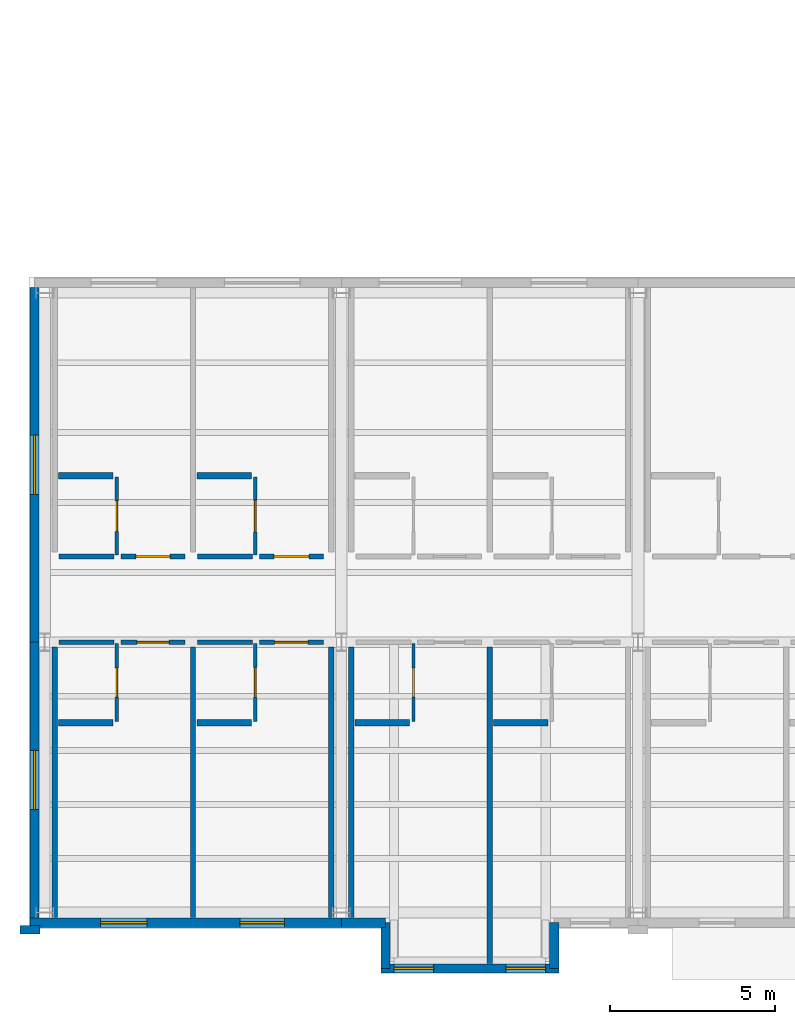
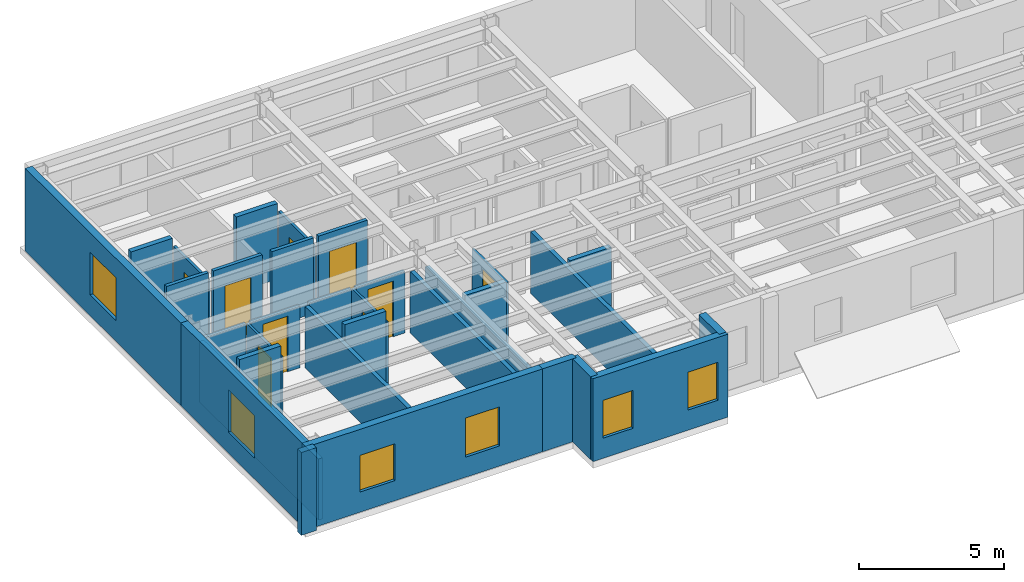
# One storey, part 7 of 19: 32 walls, 9 doors, 6 windows, 15 openings.
"""IFC4 building model written with IfcOpenShell, lengths in metres."""

from ifc_helpers import new_model, si_unit, direction, frame, frame_2d, origin, place, context, subcontext, project, spatial, rectangle, extrude, material, layer, layer_set, type_object, element, fill, save


model = new_model("IFC4")

# Units and contexts
model_context = context("Model", 3, precision=1e-05, world=origin(), true_north=direction((0.0, 1.0)))
body_context = subcontext(model_context, "Body", "Model", "MODEL_VIEW")
ifc_project = project(units=[si_unit("LENGTHUNIT", "METRE"), si_unit("AREAUNIT", "SQUARE_METRE"), si_unit("VOLUMEUNIT", "CUBIC_METRE"), si_unit("PLANEANGLEUNIT", "RADIAN"), si_unit("MASSUNIT", "GRAM", prefix="KILO")], contexts=[model_context])

# Site, building, storey
site_placement = place(None, origin())
site = spatial("IfcSite", under=ifc_project, at=site_placement, CompositionType="ELEMENT")
building_placement = place(site_placement, origin())
building = spatial("IfcBuilding", under=site, at=building_placement, Name="Sollismere Congress Hotel", CompositionType="ELEMENT")
storey_placement = place(building_placement, frame((0.0, 0.0, 34.10009765625)))
storey = spatial("IfcBuildingStorey", under=building, at=storey_placement, Name="L08", CompositionType="ELEMENT", Elevation=34.10009765625)

# Wall, openings, windows
ifc_material_1 = material(Name="Colorado Buff Sandstone Rainscreen on Insulated Backup", Category="masonry")
ifc_layer_1 = layer(ifc_material_1, 0.284912109375, Name="Colorado Buff Sandstone Rainscreen on Insulated Backup")
ifc_layer_set_1 = layer_set([ifc_layer_1], Name="Colorado Buff Sandstone Rainscreen on Insulated Backup")
wall_type_1 = type_object("IfcWallType", Name="WL-EXT285", PredefinedType="STANDARD", material=ifc_layer_set_1)
wall_1_placement = place(storey_placement, frame((66.550048828125, -0.31005859375, 0.0), z_axis=(0.0, 0.0, 1.0), x_axis=(1.0, 0.0, 0.0)))
wall_1 = element("IfcWall", 1, at=wall_1_placement, inside=storey, type_object=wall_type_1, Name="Exterior wall EW-L08-811", PredefinedType="STANDARD", context=body_context, shape_type="SweptSolid", body=[
    extrude(rectangle(XDim=9.449951171875, YDim=0.284912109375, at=frame_2d((4.72509765625, 0.0))), origin(), (0.0, 0.0, 1.0), 3.5),
])
opening_1_placement = place(wall_1_placement, frame((2.14990234375, 0.0, 0.85009765625)))
opening_1 = element("IfcOpeningElement", 2, at=opening_1_placement, cuts=wall_1, Name="Opening W-L08-589", PredefinedType="OPENING", context=body_context, shape_type="SweptSolid", body=[
    extrude(rectangle(XDim=1.39990234375, YDim=1.550048828125, at=frame_2d((0.699951171875, 0.77490234375))), frame((0.0, 0.15234375, 0.0), z_axis=(0.0, -1.0, 0.0), x_axis=(1.0, 0.0, 0.0)), (0.0, 0.0, 1.0), 0.304931640625),
])
opening_2_placement = place(wall_1_placement, frame((6.375, 0.0, 0.85009765625)))
opening_2 = element("IfcOpeningElement", 3, at=opening_2_placement, cuts=wall_1, Name="Opening W-L08-590", PredefinedType="OPENING", context=body_context, shape_type="SweptSolid", body=[
    extrude(rectangle(XDim=1.35009765625, YDim=1.64990234375, at=frame_2d((0.675048828125, 0.824951171875))), frame((0.0, 0.15234375, 0.0), z_axis=(0.0, -1.0, 0.0), x_axis=(1.0, 0.0, 0.0)), (0.0, 0.0, 1.0), 0.304931640625),
])
ifc_material_2 = material(Name="Thermally Broken Bronze Aluminum & Low-E Glass", Category="aluminium")
window_type_1 = type_object("IfcWindowType", Name="WN-P135x165", PartitioningType="SINGLE_PANEL", PredefinedType="WINDOW", material=ifc_material_2)
window_1_placement = place(opening_2_placement, origin())
window_1 = element("IfcWindow", 4, at=window_1_placement, inside=storey, type_object=window_type_1, Name="WIN-W-L08-590", OverallHeight=1.64990234375, OverallWidth=1.35009765625, PartitioningType="SINGLE_PANEL", PredefinedType="WINDOW", context=body_context, shape_type="SweptSolid", body=[
    extrude(rectangle(XDim=1.35009765625, YDim=1.64990234375, at=frame_2d((0.675048828125, 0.824951171875))), frame((0.0, 0.030029296875, 0.0), z_axis=(0.0, -1.0, 0.0), x_axis=(1.0, 0.0, 0.0)), (0.0, 0.0, 1.0), 0.06005859375),
])
fill(opening_2, window_1)
window_type_2 = type_object("IfcWindowType", Name="WN-P140x155", PartitioningType="SINGLE_PANEL", PredefinedType="WINDOW", material=ifc_material_2)
window_2_placement = place(opening_1_placement, origin())
window_2 = element("IfcWindow", 5, at=window_2_placement, inside=storey, type_object=window_type_2, Name="WIN-W-L08-589", OverallHeight=1.550048828125, OverallWidth=1.39990234375, PartitioningType="SINGLE_PANEL", PredefinedType="WINDOW", context=body_context, shape_type="SweptSolid", body=[
    extrude(rectangle(XDim=1.39990234375, YDim=1.550048828125, at=frame_2d((0.699951171875, 0.77490234375))), frame((0.0, 0.030029296875, 0.0), z_axis=(0.0, -1.0, 0.0), x_axis=(1.0, 0.0, 0.0)), (0.0, 0.0, 1.0), 0.06005859375),
])
fill(opening_1, window_2)

# Wall
wall_2_placement = place(storey_placement, frame((76.0, -0.31005859375, 0.0), z_axis=(0.0, 0.0, 1.0), x_axis=(1.0, 0.0, 0.0)))
element("IfcWall", 6, at=wall_2_placement, inside=storey, type_object=wall_type_1, Name="Exterior wall EW-L08-813", PredefinedType="STANDARD", context=body_context, shape_type="SweptSolid", body=[
    extrude(rectangle(XDim=1.340087890625, YDim=0.284912109375, at=frame_2d((0.669921875, 0.0))), origin(), (0.0, 0.0, 1.0), 3.5),
])

# Wall, openings, windows
wall_3_placement = place(storey_placement, frame((77.199951171875, -1.699951171875, 0.0), z_axis=(0.0, 0.0, 1.0), x_axis=(1.0, 0.0, 0.0)))
wall_3 = element("IfcWall", 7, at=wall_3_placement, inside=storey, type_object=wall_type_1, Name="Exterior wall EW-L08-815", PredefinedType="STANDARD", context=body_context, shape_type="SweptSolid", body=[
    extrude(rectangle(XDim=5.400146484375, YDim=0.284912109375, at=frame_2d((2.7001953125, 0.0))), origin(), (0.0, 0.0, 1.0), 3.5),
])
opening_3_placement = place(wall_3_placement, frame((0.39990234375, 0.0, 0.85009765625)))
opening_3 = element("IfcOpeningElement", 8, at=opening_3_placement, cuts=wall_3, Name="Opening W-L08-592", PredefinedType="OPENING", context=body_context, shape_type="SweptSolid", body=[
    extrude(rectangle(XDim=1.199951171875, YDim=1.60009765625, at=frame_2d((0.60009765625, 0.800048828125))), frame((0.0, 0.15234375, 0.0), z_axis=(0.0, -1.0, 0.0), x_axis=(1.0, 0.0, 0.0)), (0.0, 0.0, 1.0), 0.304931640625),
])
opening_4_placement = place(wall_3_placement, frame((3.800048828125, 0.0, 0.85009765625)))
opening_4 = element("IfcOpeningElement", 9, at=opening_4_placement, cuts=wall_3, Name="Opening W-L08-593", PredefinedType="OPENING", context=body_context, shape_type="SweptSolid", body=[
    extrude(rectangle(XDim=1.199951171875, YDim=1.60009765625, at=frame_2d((0.60009765625, 0.800048828125))), frame((0.0, 0.15234375, 0.0), z_axis=(0.0, -1.0, 0.0), x_axis=(1.0, 0.0, 0.0)), (0.0, 0.0, 1.0), 0.304931640625),
])
window_type_3 = type_object("IfcWindowType", Name="WN-P120x160", PartitioningType="SINGLE_PANEL", PredefinedType="WINDOW", material=ifc_material_2)
window_3_placement = place(opening_3_placement, origin())
window_3 = element("IfcWindow", 10, at=window_3_placement, inside=storey, type_object=window_type_3, Name="WIN-W-L08-592", OverallHeight=1.60009765625, OverallWidth=1.199951171875, PartitioningType="SINGLE_PANEL", PredefinedType="WINDOW", context=body_context, shape_type="SweptSolid", body=[
    extrude(rectangle(XDim=1.199951171875, YDim=1.60009765625, at=frame_2d((0.60009765625, 0.800048828125))), frame((0.0, 0.030029296875, 0.0), z_axis=(0.0, -1.0, 0.0), x_axis=(1.0, 0.0, 0.0)), (0.0, 0.0, 1.0), 0.06005859375),
])
fill(opening_3, window_3)
window_4_placement = place(opening_4_placement, origin())
window_4 = element("IfcWindow", 11, at=window_4_placement, inside=storey, type_object=window_type_3, Name="WIN-W-L08-593", OverallHeight=1.60009765625, OverallWidth=1.199951171875, PartitioningType="SINGLE_PANEL", PredefinedType="WINDOW", context=body_context, shape_type="SweptSolid", body=[
    extrude(rectangle(XDim=1.199951171875, YDim=1.60009765625, at=frame_2d((0.60009765625, 0.800048828125))), frame((0.0, 0.030029296875, 0.0), z_axis=(0.0, -1.0, 0.0), x_axis=(1.0, 0.0, 0.0)), (0.0, 0.0, 1.0), 0.06005859375),
])
fill(opening_4, window_4)

# Walls
for number, where, z_axis, x_axis, name in (
    (12, (77.340087890625, -0.31005859375, 0.0), (0.0, 0.0, 1.0), (0.0, -1.0, 0.0), "Exterior wall EW-L08-816"),
    (13, (82.4599609375, -1.699951171875, 0.0), (0.0, 0.0, 1.0), (0.0, 1.0, 0.0), "Exterior wall EW-L08-817"),
):
    element("IfcWall", number, at=place(storey_placement, frame(where, z_axis=z_axis, x_axis=x_axis)), inside=storey, type_object=wall_type_1, Name=name, PredefinedType="STANDARD", context=body_context, shape_type="SweptSolid", body=[
        extrude(rectangle(XDim=1.389892578125, YDim=0.284912109375, at=frame_2d((0.69482421875, 0.0))), origin(), (0.0, 0.0, 1.0), 3.5),
    ])

# Wall, opening, window
wall_4_placement = place(storey_placement, frame((66.68994140625, 8.199951171875, 0.0), z_axis=(0.0, 0.0, 1.0), x_axis=(0.0, -1.0, 0.0)))
wall_4 = element("IfcWall", 14, at=wall_4_placement, inside=storey, type_object=wall_type_1, Name="Exterior wall EW-L08-873", PredefinedType="STANDARD", context=body_context, shape_type="SweptSolid", body=[
    extrude(rectangle(XDim=8.365478515625, YDim=0.284912109375, at=frame_2d((4.1826171875, 0.0))), origin(), (0.0, 0.0, 1.0), 3.5),
])
opening_5_placement = place(wall_4_placement, frame((3.28271484375, 0.0, 0.8798828125)))
opening_5 = element("IfcOpeningElement", 15, at=opening_5_placement, cuts=wall_4, Name="Opening W-L08-628", PredefinedType="OPENING", context=body_context, shape_type="SweptSolid", body=[
    extrude(rectangle(XDim=1.800048828125, YDim=1.800048828125, at=frame_2d((0.89990234375, 0.89990234375))), frame((0.0, 0.15234375, 0.0), z_axis=(0.0, -1.0, 0.0), x_axis=(1.0, 0.0, 0.0)), (0.0, 0.0, 1.0), 0.304931640625),
])
window_type_4 = type_object("IfcWindowType", Name="WN-P180x180", PartitioningType="SINGLE_PANEL", PredefinedType="WINDOW", material=ifc_material_2)
window_5_placement = place(opening_5_placement, origin())
window_5 = element("IfcWindow", 16, at=window_5_placement, inside=storey, type_object=window_type_4, Name="WIN-W-L08-628", OverallHeight=1.800048828125, OverallWidth=1.800048828125, PartitioningType="SINGLE_PANEL", PredefinedType="WINDOW", context=body_context, shape_type="SweptSolid", body=[
    extrude(rectangle(XDim=1.800048828125, YDim=1.800048828125, at=frame_2d((0.89990234375, 0.89990234375))), frame((0.0, 0.030029296875, 0.0), z_axis=(0.0, -1.0, 0.0), x_axis=(1.0, 0.0, 0.0)), (0.0, 0.0, 1.0), 0.06005859375),
])
fill(opening_5, window_5)

wall_5_placement = place(storey_placement, frame((66.68994140625, 18.965576171875, 0.0), z_axis=(0.0, 0.0, 1.0), x_axis=(0.0, -1.0, 0.0)))
wall_5 = element("IfcWall", 17, at=wall_5_placement, inside=storey, type_object=wall_type_1, Name="Exterior wall EW-L08-874", PredefinedType="STANDARD", context=body_context, shape_type="SweptSolid", body=[
    extrude(rectangle(XDim=10.765625, YDim=0.284912109375, at=frame_2d((5.3828125, 0.0))), origin(), (0.0, 0.0, 1.0), 3.5),
])
opening_6_placement = place(wall_5_placement, frame((4.482666015625, 0.0, 0.8798828125)))
opening_6 = element("IfcOpeningElement", 18, at=opening_6_placement, cuts=wall_5, Name="Opening W-L08-629", PredefinedType="OPENING", context=body_context, shape_type="SweptSolid", body=[
    extrude(rectangle(XDim=1.800048828125, YDim=1.800048828125, at=frame_2d((0.89990234375, 0.89990234375))), frame((0.0, 0.15234375, 0.0), z_axis=(0.0, -1.0, 0.0), x_axis=(1.0, 0.0, 0.0)), (0.0, 0.0, 1.0), 0.304931640625),
])
window_6_placement = place(opening_6_placement, origin())
window_6 = element("IfcWindow", 19, at=window_6_placement, inside=storey, type_object=window_type_4, Name="WIN-W-L08-629", OverallHeight=1.800048828125, OverallWidth=1.800048828125, PartitioningType="SINGLE_PANEL", PredefinedType="WINDOW", context=body_context, shape_type="SweptSolid", body=[
    extrude(rectangle(XDim=1.800048828125, YDim=1.800048828125, at=frame_2d((0.89990234375, 0.89990234375))), frame((0.0, 0.030029296875, 0.0), z_axis=(0.0, -1.0, 0.0), x_axis=(1.0, 0.0, 0.0)), (0.0, 0.0, 1.0), 0.06005859375),
])
fill(opening_6, window_6)

# Walls
ifc_material_3 = material(Name="Carved Travertine Pilaster & Frieze Assembly", Category="masonry")
ifc_layer_2 = layer(ifc_material_3, 0.260009765625, Name="Carved Travertine Pilaster & Frieze Assembly")
ifc_layer_set_2 = layer_set([ifc_layer_2], Name="Carved Travertine Pilaster & Frieze Assembly")
wall_type_2 = type_object("IfcWallType", Name="WL-PIL280", PredefinedType="ELEMENTEDWALL", material=ifc_layer_set_2)
wall_6_placement = place(storey_placement, frame((66.25, -0.52001953125, 0.0), z_axis=(0.0, 0.0, 1.0), x_axis=(1.0, 0.0, 0.0)))
element("IfcWall", 20, at=wall_6_placement, inside=storey, type_object=wall_type_2, Name="Exterior wall EW-L08-812", PredefinedType="ELEMENTEDWALL", context=body_context, shape_type="SweptSolid", body=[
    extrude(rectangle(XDim=0.60009765625, YDim=0.260009765625, at=frame_2d((0.300048828125, 0.0))), origin(), (0.0, 0.0, 1.0), 3.5),
])
ifc_material_4 = material(Name="Moisture-Resistant Shaft Gypsum Assembly")
ifc_layer_3 = layer(ifc_material_4, 0.199951171875, Name="Moisture-Resistant Shaft Gypsum Assembly")
ifc_layer_set_3 = layer_set([ifc_layer_3], Name="Moisture-Resistant Shaft Gypsum Assembly")
wall_type_3 = type_object("IfcWallType", Name="WL-PLM200", PredefinedType="PLUMBINGWALL", material=ifc_layer_set_3)
wall_7_placement = place(storey_placement, frame((67.419921875, 5.75, 0.0), z_axis=(0.0, 0.0, 1.0), x_axis=(1.0, 0.0, 0.0)))
element("IfcWall", 21, at=wall_7_placement, inside=storey, type_object=wall_type_3, Name="Interior wall IW-L08-2396", PredefinedType="PLUMBINGWALL", context=body_context, shape_type="SweptSolid", body=[
    extrude(rectangle(XDim=1.650146484375, YDim=0.199951171875, at=frame_2d((0.8251953125, 0.0))), origin(), (0.0, 0.0, 1.0), 3.18994140625),
])
wall_8_placement = place(storey_placement, frame((71.6201171875, 5.75, 0.0), z_axis=(0.0, 0.0, 1.0), x_axis=(1.0, 0.0, 0.0)))
element("IfcWall", 22, at=wall_8_placement, inside=storey, type_object=wall_type_3, Name="Interior wall IW-L08-2401", PredefinedType="PLUMBINGWALL", context=body_context, shape_type="SweptSolid", body=[
    extrude(rectangle(XDim=1.64990234375, YDim=0.199951171875, at=frame_2d((0.824951171875, 0.0))), origin(), (0.0, 0.0, 1.0), 3.18994140625),
])
wall_9_placement = place(storey_placement, frame((67.419921875, 13.25, 0.0), z_axis=(0.0, 0.0, 1.0), x_axis=(1.0, 0.0, 0.0)))
element("IfcWall", 23, at=wall_9_placement, inside=storey, type_object=wall_type_3, Name="Interior wall IW-L08-2407", PredefinedType="PLUMBINGWALL", context=body_context, shape_type="SweptSolid", body=[
    extrude(rectangle(XDim=1.650146484375, YDim=0.199951171875, at=frame_2d((0.8251953125, 0.0))), origin(), (0.0, 0.0, 1.0), 3.18994140625),
])
wall_10_placement = place(storey_placement, frame((71.6201171875, 13.25, 0.0), z_axis=(0.0, 0.0, 1.0), x_axis=(1.0, 0.0, 0.0)))
element("IfcWall", 24, at=wall_10_placement, inside=storey, type_object=wall_type_3, Name="Interior wall IW-L08-2412", PredefinedType="PLUMBINGWALL", context=body_context, shape_type="SweptSolid", body=[
    extrude(rectangle(XDim=1.64990234375, YDim=0.199951171875, at=frame_2d((0.824951171875, 0.0))), origin(), (0.0, 0.0, 1.0), 3.18994140625),
])
wall_11_placement = place(storey_placement, frame((76.419921875, 5.75, 0.0), z_axis=(0.0, 0.0, 1.0), x_axis=(1.0, 0.0, 0.0)))
element("IfcWall", 25, at=wall_11_placement, inside=storey, type_object=wall_type_3, Name="Interior wall IW-L08-2418", PredefinedType="PLUMBINGWALL", context=body_context, shape_type="SweptSolid", body=[
    extrude(rectangle(XDim=1.650146484375, YDim=0.199951171875, at=frame_2d((0.8251953125, 0.0))), origin(), (0.0, 0.0, 1.0), 2.742919921875),
])
wall_12_placement = place(storey_placement, frame((80.6201171875, 5.75, 0.0), z_axis=(0.0, 0.0, 1.0), x_axis=(1.0, 0.0, 0.0)))
element("IfcWall", 26, at=wall_12_placement, inside=storey, type_object=wall_type_3, Name="Interior wall IW-L08-2423", PredefinedType="PLUMBINGWALL", context=body_context, shape_type="SweptSolid", body=[
    extrude(rectangle(XDim=1.64990234375, YDim=0.199951171875, at=frame_2d((0.824951171875, 0.0))), origin(), (0.0, 0.0, 1.0), 2.742919921875),
])

# Wall, opening, door
ifc_material_5 = material(Name="Moisture-Resistant Gypsum Partition")
ifc_layer_4 = layer(ifc_material_5, 0.10009765625, Name="Moisture-Resistant Gypsum Partition")
ifc_layer_set_4 = layer_set([ifc_layer_4], Name="Moisture-Resistant Gypsum Partition")
wall_type_4 = type_object("IfcWallType", Name="WL-PRT100", PredefinedType="PARTITIONING", material=ifc_layer_set_4)
wall_13_placement = place(storey_placement, frame((69.18994140625, 5.7900390625, 0.0), z_axis=(0.0, 0.0, 1.0), x_axis=(0.0, 1.0, 0.0)))
wall_13 = element("IfcWall", 27, at=wall_13_placement, inside=storey, type_object=wall_type_4, Name="Interior wall IW-L08-2395", PredefinedType="PARTITIONING", context=body_context, shape_type="SweptSolid", body=[
    extrude(rectangle(XDim=2.369873046875, YDim=0.10009765625, at=frame_2d((1.18505859375, 0.0))), origin(), (0.0, 0.0, 1.0), 2.602783203125),
])
opening_7_placement = place(wall_13_placement, frame((0.7451171875, 0.0, 0.0)))
opening_7 = element("IfcOpeningElement", 28, at=opening_7_placement, cuts=wall_13, Name="Opening D-L08-0845", PredefinedType="OPENING", context=body_context, shape_type="SweptSolid", body=[
    extrude(rectangle(XDim=0.8798828125, YDim=2.10009765625, at=frame_2d((0.43994140625, 1.050048828125))), frame((0.0, 0.06005859375, 0.0), z_axis=(0.0, -1.0, 0.0), x_axis=(1.0, 0.0, 0.0)), (0.0, 0.0, 1.0), 0.1201171875),
])
ifc_material_6 = material(Name="Moisture-Sealed Timber Bathroom Door", Category="wood")
door_type_1 = type_object("IfcDoorType", Name="DR-BT01", OperationType="NOTDEFINED", PredefinedType="DOOR", material=ifc_material_6)
door_1_placement = place(opening_7_placement, origin())
door_1 = element("IfcDoor", 29, at=door_1_placement, inside=storey, type_object=door_type_1, Name="En-suite bathroom door D-L08-0845", OperationType="SINGLE_SWING_RIGHT", OverallHeight=2.10009765625, OverallWidth=0.8798828125, PredefinedType="DOOR", context=body_context, shape_type="SweptSolid", body=[
    extrude(rectangle(XDim=0.8798828125, YDim=2.10009765625, at=frame_2d((0.43994140625, 1.050048828125))), frame((0.0, 0.02490234375, 0.0), z_axis=(0.0, -1.0, 0.0), x_axis=(1.0, 0.0, 0.0)), (0.0, 0.0, 1.0), 0.050048828125),
])
fill(opening_7, door_1)

wall_14_placement = place(storey_placement, frame((73.389892578125, 5.7900390625, 0.0), z_axis=(0.0, 0.0, 1.0), x_axis=(0.0, 1.0, 0.0)))
wall_14 = element("IfcWall", 30, at=wall_14_placement, inside=storey, type_object=wall_type_4, Name="Interior wall IW-L08-2400", PredefinedType="PARTITIONING", context=body_context, shape_type="SweptSolid", body=[
    extrude(rectangle(XDim=2.369873046875, YDim=0.10009765625, at=frame_2d((1.18505859375, 0.0))), origin(), (0.0, 0.0, 1.0), 2.602783203125),
])
opening_8_placement = place(wall_14_placement, frame((0.73291015625, 0.0, 0.0)))
opening_8 = element("IfcOpeningElement", 31, at=opening_8_placement, cuts=wall_14, Name="Opening D-L08-0847", PredefinedType="OPENING", context=body_context, shape_type="SweptSolid", body=[
    extrude(rectangle(XDim=0.905029296875, YDim=2.10009765625, at=frame_2d((0.45263671875, 1.050048828125))), frame((0.0, 0.06005859375, 0.0), z_axis=(0.0, -1.0, 0.0), x_axis=(1.0, 0.0, 0.0)), (0.0, 0.0, 1.0), 0.1201171875),
])
door_type_2 = type_object("IfcDoorType", Name="DR-BT02", OperationType="NOTDEFINED", PredefinedType="DOOR", material=ifc_material_6)
door_2_placement = place(opening_8_placement, origin())
door_2 = element("IfcDoor", 32, at=door_2_placement, inside=storey, type_object=door_type_2, Name="En-suite bathroom door D-L08-0847", OperationType="SINGLE_SWING_RIGHT", OverallHeight=2.10009765625, OverallWidth=0.905029296875, PredefinedType="DOOR", context=body_context, shape_type="SweptSolid", body=[
    extrude(rectangle(XDim=0.905029296875, YDim=2.10009765625, at=frame_2d((0.45263671875, 1.050048828125))), frame((0.0, 0.02490234375, 0.0), z_axis=(0.0, -1.0, 0.0), x_axis=(1.0, 0.0, 0.0)), (0.0, 0.0, 1.0), 0.050048828125),
])
fill(opening_8, door_2)

wall_15_placement = place(storey_placement, frame((69.18994140625, 10.840087890625, 0.0), z_axis=(0.0, 0.0, 1.0), x_axis=(0.0, 1.0, 0.0)))
wall_15 = element("IfcWall", 33, at=wall_15_placement, inside=storey, type_object=wall_type_4, Name="Interior wall IW-L08-2406", PredefinedType="PARTITIONING", context=body_context, shape_type="SweptSolid", body=[
    extrude(rectangle(XDim=2.369873046875, YDim=0.10009765625, at=frame_2d((1.18505859375, 0.0))), origin(), (0.0, 0.0, 1.0), 2.7978515625),
])
opening_9_placement = place(wall_15_placement, frame((0.719970703125, 0.0, 0.0)))
opening_9 = element("IfcOpeningElement", 34, at=opening_9_placement, cuts=wall_15, Name="Opening D-L08-0849", PredefinedType="OPENING", context=body_context, shape_type="SweptSolid", body=[
    extrude(rectangle(XDim=0.929931640625, YDim=2.139892578125, at=frame_2d((0.46484375, 1.06982421875))), frame((0.0, 0.06005859375, 0.0), z_axis=(0.0, -1.0, 0.0), x_axis=(1.0, 0.0, 0.0)), (0.0, 0.0, 1.0), 0.1201171875),
])
door_type_3 = type_object("IfcDoorType", Name="DR-BT03", OperationType="NOTDEFINED", PredefinedType="DOOR", material=ifc_material_6)
door_3_placement = place(opening_9_placement, origin())
door_3 = element("IfcDoor", 35, at=door_3_placement, inside=storey, type_object=door_type_3, Name="En-suite bathroom door D-L08-0849", OperationType="SINGLE_SWING_RIGHT", OverallHeight=2.139892578125, OverallWidth=0.929931640625, PredefinedType="DOOR", context=body_context, shape_type="SweptSolid", body=[
    extrude(rectangle(XDim=0.929931640625, YDim=2.139892578125, at=frame_2d((0.46484375, 1.06982421875))), frame((0.0, 0.02490234375, 0.0), z_axis=(0.0, -1.0, 0.0), x_axis=(1.0, 0.0, 0.0)), (0.0, 0.0, 1.0), 0.050048828125),
])
fill(opening_9, door_3)

wall_16_placement = place(storey_placement, frame((73.389892578125, 10.840087890625, 0.0), z_axis=(0.0, 0.0, 1.0), x_axis=(0.0, 1.0, 0.0)))
wall_16 = element("IfcWall", 36, at=wall_16_placement, inside=storey, type_object=wall_type_4, Name="Interior wall IW-L08-2411", PredefinedType="PARTITIONING", context=body_context, shape_type="SweptSolid", body=[
    extrude(rectangle(XDim=2.369873046875, YDim=0.10009765625, at=frame_2d((1.18505859375, 0.0))), origin(), (0.0, 0.0, 1.0), 2.7978515625),
])
opening_10_placement = place(wall_16_placement, frame((0.7080078125, 0.0, 0.0)))
opening_10 = element("IfcOpeningElement", 37, at=opening_10_placement, cuts=wall_16, Name="Opening D-L08-0851", PredefinedType="OPENING", context=body_context, shape_type="SweptSolid", body=[
    extrude(rectangle(XDim=0.955078125, YDim=2.139892578125, at=frame_2d((0.4775390625, 1.06982421875))), frame((0.0, 0.06005859375, 0.0), z_axis=(0.0, -1.0, 0.0), x_axis=(1.0, 0.0, 0.0)), (0.0, 0.0, 1.0), 0.1201171875),
])
door_type_4 = type_object("IfcDoorType", Name="DR-BT04", OperationType="NOTDEFINED", PredefinedType="DOOR", material=ifc_material_6)
door_4_placement = place(opening_10_placement, origin())
door_4 = element("IfcDoor", 38, at=door_4_placement, inside=storey, type_object=door_type_4, Name="En-suite bathroom door D-L08-0851", OperationType="SINGLE_SWING_RIGHT", OverallHeight=2.139892578125, OverallWidth=0.955078125, PredefinedType="DOOR", context=body_context, shape_type="SweptSolid", body=[
    extrude(rectangle(XDim=0.955078125, YDim=2.139892578125, at=frame_2d((0.4775390625, 1.06982421875))), frame((0.0, 0.02490234375, 0.0), z_axis=(0.0, -1.0, 0.0), x_axis=(1.0, 0.0, 0.0)), (0.0, 0.0, 1.0), 0.050048828125),
])
fill(opening_10, door_4)

wall_17_placement = place(storey_placement, frame((78.18994140625, 5.7900390625, 0.0), z_axis=(0.0, 0.0, 1.0), x_axis=(0.0, 1.0, 0.0)))
wall_17 = element("IfcWall", 39, at=wall_17_placement, inside=storey, type_object=wall_type_4, Name="Interior wall IW-L08-2417", PredefinedType="PARTITIONING", context=body_context, shape_type="SweptSolid", body=[
    extrude(rectangle(XDim=2.369873046875, YDim=0.10009765625, at=frame_2d((1.18505859375, 0.0))), origin(), (0.0, 0.0, 1.0), 2.602783203125),
])
opening_11_placement = place(wall_17_placement, frame((0.7451171875, 0.0, 0.0)))
opening_11 = element("IfcOpeningElement", 40, at=opening_11_placement, cuts=wall_17, Name="Opening D-L08-0853", PredefinedType="OPENING", context=body_context, shape_type="SweptSolid", body=[
    extrude(rectangle(XDim=0.8798828125, YDim=2.179931640625, at=frame_2d((0.43994140625, 1.08984375))), frame((0.0, 0.06005859375, 0.0), z_axis=(0.0, -1.0, 0.0), x_axis=(1.0, 0.0, 0.0)), (0.0, 0.0, 1.0), 0.1201171875),
])
door_type_5 = type_object("IfcDoorType", Name="DR-BT05", OperationType="NOTDEFINED", PredefinedType="DOOR", material=ifc_material_6)
door_5_placement = place(opening_11_placement, origin())
door_5 = element("IfcDoor", 41, at=door_5_placement, inside=storey, type_object=door_type_5, Name="En-suite bathroom door D-L08-0853", OperationType="SINGLE_SWING_RIGHT", OverallHeight=2.179931640625, OverallWidth=0.8798828125, PredefinedType="DOOR", context=body_context, shape_type="SweptSolid", body=[
    extrude(rectangle(XDim=0.8798828125, YDim=2.179931640625, at=frame_2d((0.43994140625, 1.08984375))), frame((0.0, 0.02490234375, 0.0), z_axis=(0.0, -1.0, 0.0), x_axis=(1.0, 0.0, 0.0)), (0.0, 0.0, 1.0), 0.050048828125),
])
fill(opening_11, door_5)

# Wall
ifc_material_7 = material(Name="Fire-Rated Gypsum Partition")
ifc_layer_5 = layer(ifc_material_7, 0.139892578125, Name="Fire-Rated Gypsum Partition")
ifc_layer_set_5 = layer_set([ifc_layer_5], Name="Fire-Rated Gypsum Partition")
wall_type_5 = type_object("IfcWallType", Name="WL-PRT140R", PredefinedType="PARTITIONING", material=ifc_layer_set_5)
wall_18_placement = place(storey_placement, frame((67.43994140625, 8.199951171875, 0.0), z_axis=(0.0, 0.0, 1.0), x_axis=(1.0, 0.0, 0.0)))
element("IfcWall", 42, at=wall_18_placement, inside=storey, type_object=wall_type_5, Name="Interior wall IW-L08-2391", PredefinedType="PARTITIONING", context=body_context, shape_type="SweptSolid", body=[
    extrude(rectangle(XDim=1.670166015625, YDim=0.139892578125, at=frame_2d((0.8349609375, 0.0))), origin(), (0.0, 0.0, 1.0), 2.602783203125),
])

# Wall, opening, door
wall_19_placement = place(storey_placement, frame((69.31005859375, 8.199951171875, 0.0), z_axis=(0.0, 0.0, 1.0), x_axis=(1.0, 0.0, 0.0)))
wall_19 = element("IfcWall", 43, at=wall_19_placement, inside=storey, type_object=wall_type_5, Name="Interior wall IW-L08-2392", PredefinedType="PARTITIONING", context=body_context, shape_type="SweptSolid", body=[
    extrude(rectangle(XDim=1.949951171875, YDim=0.139892578125, at=frame_2d((0.97509765625, 0.0))), origin(), (0.0, 0.0, 1.0), 2.602783203125),
])
opening_12_placement = place(wall_19_placement, frame((0.485107421875, 0.0, 0.0)))
opening_12 = element("IfcOpeningElement", 44, at=opening_12_placement, cuts=wall_19, Name="Opening D-L08-0844", PredefinedType="OPENING", context=body_context, shape_type="SweptSolid", body=[
    extrude(rectangle(XDim=0.97998046875, YDim=2.35009765625, at=frame_2d((0.489990234375, 1.175048828125))), frame((0.0, 0.079833984375, 0.0), z_axis=(0.0, -1.0, 0.0), x_axis=(1.0, 0.0, 0.0)), (0.0, 0.0, 1.0), 0.159912109375),
])
ifc_material_8 = material(Name="Solid-Core Acoustic Walnut Guestroom Entry Door")
door_type_6 = type_object("IfcDoorType", Name="DR-KY09", OperationType="NOTDEFINED", PredefinedType="DOOR", material=ifc_material_8)
door_6_placement = place(opening_12_placement, origin())
door_6 = element("IfcDoor", 45, at=door_6_placement, inside=storey, type_object=door_type_6, Name="Hotel room entry door D-L08-0844", OperationType="SINGLE_SWING_LEFT", OverallHeight=2.35009765625, OverallWidth=0.97998046875, PredefinedType="DOOR", context=body_context, shape_type="SweptSolid", body=[
    extrude(rectangle(XDim=0.97998046875, YDim=2.35009765625, at=frame_2d((0.489990234375, 1.175048828125))), frame((0.0, 0.02490234375, 0.0), z_axis=(0.0, -1.0, 0.0), x_axis=(1.0, 0.0, 0.0)), (0.0, 0.0, 1.0), 0.050048828125),
])
fill(opening_12, door_6)

# Wall
wall_20_placement = place(storey_placement, frame((71.639892578125, 8.199951171875, 0.0), z_axis=(0.0, 0.0, 1.0), x_axis=(1.0, 0.0, 0.0)))
element("IfcWall", 46, at=wall_20_placement, inside=storey, type_object=wall_type_5, Name="Interior wall IW-L08-2397", PredefinedType="PARTITIONING", context=body_context, shape_type="SweptSolid", body=[
    extrude(rectangle(XDim=1.670166015625, YDim=0.139892578125, at=frame_2d((0.8349609375, 0.0))), origin(), (0.0, 0.0, 1.0), 2.602783203125),
])

# Wall, opening, door
wall_21_placement = place(storey_placement, frame((73.510009765625, 8.199951171875, 0.0), z_axis=(0.0, 0.0, 1.0), x_axis=(1.0, 0.0, 0.0)))
wall_21 = element("IfcWall", 47, at=wall_21_placement, inside=storey, type_object=wall_type_5, Name="Interior wall IW-L08-2398", PredefinedType="PARTITIONING", context=body_context, shape_type="SweptSolid", body=[
    extrude(rectangle(XDim=1.949951171875, YDim=0.139892578125, at=frame_2d((0.97509765625, 0.0))), origin(), (0.0, 0.0, 1.0), 2.602783203125),
])
opening_13_placement = place(wall_21_placement, frame((0.469970703125, 0.0, 0.0)))
opening_13 = element("IfcOpeningElement", 48, at=opening_13_placement, cuts=wall_21, Name="Opening D-L08-0846", PredefinedType="OPENING", context=body_context, shape_type="SweptSolid", body=[
    extrude(rectangle(XDim=1.010009765625, YDim=2.35009765625, at=frame_2d((0.5048828125, 1.175048828125))), frame((0.0, 0.079833984375, 0.0), z_axis=(0.0, -1.0, 0.0), x_axis=(1.0, 0.0, 0.0)), (0.0, 0.0, 1.0), 0.159912109375),
])
door_type_7 = type_object("IfcDoorType", Name="DR-KY10", OperationType="NOTDEFINED", PredefinedType="DOOR", material=ifc_material_8)
door_7_placement = place(opening_13_placement, origin())
door_7 = element("IfcDoor", 49, at=door_7_placement, inside=storey, type_object=door_type_7, Name="Hotel room entry door D-L08-0846", OperationType="SINGLE_SWING_LEFT", OverallHeight=2.35009765625, OverallWidth=1.010009765625, PredefinedType="DOOR", context=body_context, shape_type="SweptSolid", body=[
    extrude(rectangle(XDim=1.010009765625, YDim=2.35009765625, at=frame_2d((0.5048828125, 1.175048828125))), frame((0.0, 0.02490234375, 0.0), z_axis=(0.0, -1.0, 0.0), x_axis=(1.0, 0.0, 0.0)), (0.0, 0.0, 1.0), 0.050048828125),
])
fill(opening_13, door_7)

# Wall
wall_22_placement = place(storey_placement, frame((67.43994140625, 10.800048828125, 0.0), z_axis=(0.0, 0.0, 1.0), x_axis=(1.0, 0.0, 0.0)))
element("IfcWall", 50, at=wall_22_placement, inside=storey, type_object=wall_type_5, Name="Interior wall IW-L08-2402", PredefinedType="PARTITIONING", context=body_context, shape_type="SweptSolid", body=[
    extrude(rectangle(XDim=1.670166015625, YDim=0.139892578125, at=frame_2d((0.8349609375, 0.0))), origin(), (0.0, 0.0, 1.0), 3.18994140625),
])

# Wall, opening, door
wall_23_placement = place(storey_placement, frame((69.31005859375, 10.800048828125, 0.0), z_axis=(0.0, 0.0, 1.0), x_axis=(1.0, 0.0, 0.0)))
wall_23 = element("IfcWall", 51, at=wall_23_placement, inside=storey, type_object=wall_type_5, Name="Interior wall IW-L08-2403", PredefinedType="PARTITIONING", context=body_context, shape_type="SweptSolid", body=[
    extrude(rectangle(XDim=1.949951171875, YDim=0.139892578125, at=frame_2d((0.97509765625, 0.0))), origin(), (0.0, 0.0, 1.0), 3.18994140625),
])
opening_14_placement = place(wall_23_placement, frame((0.455078125, 0.0, 0.0)))
opening_14 = element("IfcOpeningElement", 52, at=opening_14_placement, cuts=wall_23, Name="Opening D-L08-0848", PredefinedType="OPENING", context=body_context, shape_type="SweptSolid", body=[
    extrude(rectangle(XDim=1.0400390625, YDim=2.39990234375, at=frame_2d((0.52001953125, 1.199951171875))), frame((0.0, 0.079833984375, 0.0), z_axis=(0.0, -1.0, 0.0), x_axis=(1.0, 0.0, 0.0)), (0.0, 0.0, 1.0), 0.159912109375),
])
door_type_8 = type_object("IfcDoorType", Name="DR-KY11", OperationType="NOTDEFINED", PredefinedType="DOOR", material=ifc_material_8)
door_8_placement = place(opening_14_placement, origin())
door_8 = element("IfcDoor", 53, at=door_8_placement, inside=storey, type_object=door_type_8, Name="Hotel room entry door D-L08-0848", OperationType="SINGLE_SWING_LEFT", OverallHeight=2.39990234375, OverallWidth=1.0400390625, PredefinedType="DOOR", context=body_context, shape_type="SweptSolid", body=[
    extrude(rectangle(XDim=1.0400390625, YDim=2.39990234375, at=frame_2d((0.52001953125, 1.199951171875))), frame((0.0, 0.02490234375, 0.0), z_axis=(0.0, -1.0, 0.0), x_axis=(1.0, 0.0, 0.0)), (0.0, 0.0, 1.0), 0.050048828125),
])
fill(opening_14, door_8)

# Wall
wall_24_placement = place(storey_placement, frame((71.639892578125, 10.800048828125, 0.0), z_axis=(0.0, 0.0, 1.0), x_axis=(1.0, 0.0, 0.0)))
element("IfcWall", 54, at=wall_24_placement, inside=storey, type_object=wall_type_5, Name="Interior wall IW-L08-2408", PredefinedType="PARTITIONING", context=body_context, shape_type="SweptSolid", body=[
    extrude(rectangle(XDim=1.670166015625, YDim=0.139892578125, at=frame_2d((0.8349609375, 0.0))), origin(), (0.0, 0.0, 1.0), 3.18994140625),
])

# Wall, opening, door
wall_25_placement = place(storey_placement, frame((73.510009765625, 10.800048828125, 0.0), z_axis=(0.0, 0.0, 1.0), x_axis=(1.0, 0.0, 0.0)))
wall_25 = element("IfcWall", 55, at=wall_25_placement, inside=storey, type_object=wall_type_5, Name="Interior wall IW-L08-2409", PredefinedType="PARTITIONING", context=body_context, shape_type="SweptSolid", body=[
    extrude(rectangle(XDim=1.949951171875, YDim=0.139892578125, at=frame_2d((0.97509765625, 0.0))), origin(), (0.0, 0.0, 1.0), 3.18994140625),
])
opening_15_placement = place(wall_25_placement, frame((0.43994140625, 0.0, 0.0)))
opening_15 = element("IfcOpeningElement", 56, at=opening_15_placement, cuts=wall_25, Name="Opening D-L08-0850", PredefinedType="OPENING", context=body_context, shape_type="SweptSolid", body=[
    extrude(rectangle(XDim=1.070068359375, YDim=2.39990234375, at=frame_2d((0.53515625, 1.199951171875))), frame((0.0, 0.079833984375, 0.0), z_axis=(0.0, -1.0, 0.0), x_axis=(1.0, 0.0, 0.0)), (0.0, 0.0, 1.0), 0.159912109375),
])
door_type_9 = type_object("IfcDoorType", Name="DR-KY12", OperationType="NOTDEFINED", PredefinedType="DOOR", material=ifc_material_8)
door_9_placement = place(opening_15_placement, origin())
door_9 = element("IfcDoor", 57, at=door_9_placement, inside=storey, type_object=door_type_9, Name="Hotel room entry door D-L08-0850", OperationType="SINGLE_SWING_LEFT", OverallHeight=2.39990234375, OverallWidth=1.070068359375, PredefinedType="DOOR", context=body_context, shape_type="SweptSolid", body=[
    extrude(rectangle(XDim=1.070068359375, YDim=2.39990234375, at=frame_2d((0.53515625, 1.199951171875))), frame((0.0, 0.02490234375, 0.0), z_axis=(0.0, -1.0, 0.0), x_axis=(1.0, 0.0, 0.0)), (0.0, 0.0, 1.0), 0.050048828125),
])
fill(opening_15, door_9)

# Walls
ifc_material_9 = material(Name="Fire-Rated Acoustic Gypsum Partition")
ifc_layer_6 = layer(ifc_material_9, 0.1650390625, Name="Fire-Rated Acoustic Gypsum Partition")
ifc_layer_set_6 = layer_set([ifc_layer_6], Name="Fire-Rated Acoustic Gypsum Partition")
wall_type_6 = type_object("IfcWallType", Name="WL-PRT165R", PredefinedType="PARTITIONING", material=ifc_layer_set_6)
for number, where, z_axis, x_axis, name in (
    (58, (67.300048828125, -0.152587890625, 0.0), (0.0, 0.0, 1.0), (0.0, 1.0, 0.0), "Interior wall IW-L08-2393"),
    (59, (71.5, -0.152587890625, 0.0), (0.0, 0.0, 1.0), (0.0, 1.0, 0.0), "Interior wall IW-L08-2394"),
    (60, (75.699951171875, -0.152587890625, 0.0), (0.0, 0.0, 1.0), (0.0, 1.0, 0.0), "Interior wall IW-L08-2399"),
    (61, (76.300048828125, -0.152587890625, 0.0), (0.0, 0.0, 1.0), (0.0, 1.0, 0.0), "Interior wall IW-L08-2415"),
):
    element("IfcWall", number, at=place(storey_placement, frame(where, z_axis=z_axis, x_axis=x_axis)), inside=storey, type_object=wall_type_6, Name=name, PredefinedType="PARTITIONING", context=body_context, shape_type="SweptSolid", body=[
        extrude(rectangle(XDim=8.212646484375, YDim=0.1650390625, at=frame_2d((4.1064453125, 0.0))), origin(), (0.0, 0.0, 1.0), 2.579833984375),
    ])
wall_26_placement = place(storey_placement, frame((80.5, -1.54248046875, 0.0), z_axis=(0.0, 0.0, 1.0), x_axis=(0.0, 1.0, 0.0)))
element("IfcWall", 62, at=wall_26_placement, inside=storey, type_object=wall_type_6, Name="Interior wall IW-L08-2416", PredefinedType="PARTITIONING", context=body_context, shape_type="SweptSolid", body=[
    extrude(rectangle(XDim=9.6025390625, YDim=0.1650390625, at=frame_2d((4.80126953125, 0.0))), origin(), (0.0, 0.0, 1.0), 2.579833984375),
])

save(model, "model.ifc")
